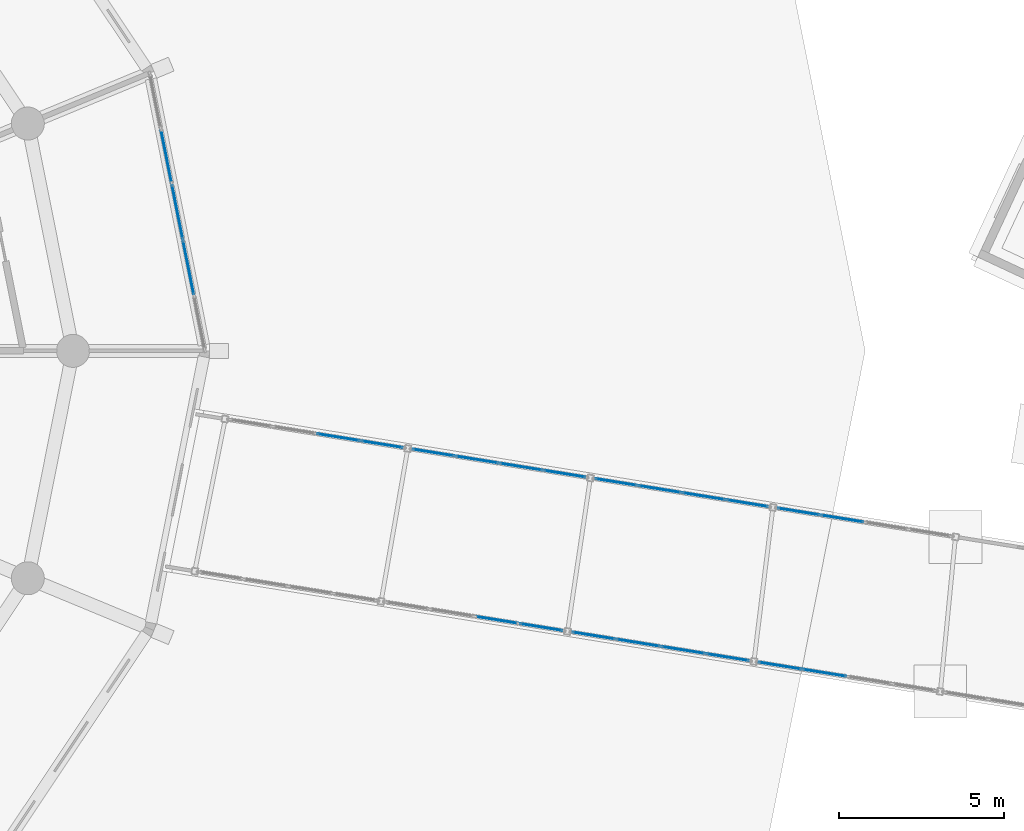
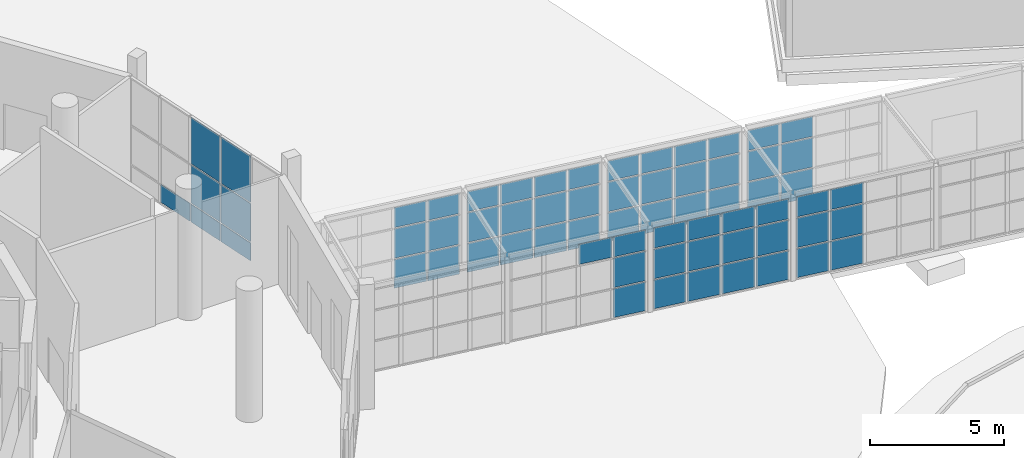
# One storey, part 132 of 226: 65 plates, 8 elements without a shape of their own.
"""IFC4 building model written with IfcOpenShell, lengths in metres."""

from ifc_helpers import new_model, si_unit, direction, frame, origin, origin_2d, place, context, subcontext, project, spatial, rectangle, extrude, material, layer, layer_set, type_object, element, aggregate, save


model = new_model("IFC4")

# Units and contexts
model_context = context("Model", 3, precision=1e-05, world=origin(), true_north=direction((0.0, 1.0)))
body_context = subcontext(model_context, "Body", "Model", "MODEL_VIEW")
ifc_project = project(units=[si_unit("LENGTHUNIT", "METRE"), si_unit("AREAUNIT", "SQUARE_METRE"), si_unit("VOLUMEUNIT", "CUBIC_METRE"), si_unit("PLANEANGLEUNIT", "RADIAN"), si_unit("MASSUNIT", "GRAM", prefix="KILO")], contexts=[model_context])

# Site, building, storey
site_placement = place(None, origin())
site = spatial("IfcSite", under=ifc_project, at=site_placement, CompositionType="ELEMENT")
building_placement = place(site_placement, origin())
building = spatial("IfcBuilding", under=site, at=building_placement, Name="Ceibo Conservatory and Research Tower", CompositionType="ELEMENT")
storey_placement = place(building_placement, origin())
storey = spatial("IfcBuildingStorey", under=building, at=storey_placement, Name="L00", CompositionType="ELEMENT", Elevation=0.0)

# Curtain wall, plates
ifc_material_1 = material(Name="Aluminium and glass", Category="aluminium")
curtain_wall_type_1 = type_object("IfcCurtainWallType", Name="Gallery curtain wall", PredefinedType="NOTDEFINED", material=ifc_material_1)
curtain_wall_1_placement = place(storey_placement, origin())
curtain_wall_1 = element("IfcCurtainWall", 1, at=curtain_wall_1_placement, inside=storey, type_object=curtain_wall_type_1, Name="Gallery curtain wall A-RT-CWN06", PredefinedType="NOTDEFINED")
ifc_material_2 = material(Name="Laminated glass", Category="glass")
ifc_layer_1 = layer(ifc_material_2, 0.028076171875)
ifc_layer_set_1 = layer_set([ifc_layer_1], Name="Laminated glass")
plate_type_1 = type_object("IfcPlateType", Name="Gallery glass 28", PredefinedType="CURTAIN_PANEL", material=ifc_layer_set_1)
plate_1_placement = place(storey_placement, frame((88.767822265625, 110.24462890625, 0.06005859375), z_axis=(0.0, 0.0, 1.0), x_axis=(-0.987215515464, 0.159391110254, 0.0)))
plate_1 = element("IfcPlate", 2, at=plate_1_placement, type_object=plate_type_1, Name="A-RT-CWN06 panel 3.1", PredefinedType="CURTAIN_PANEL", context=body_context, shape_type="SweptSolid", body=[
    extrude(rectangle(XDim=1.319580078125, YDim=0.028076171875, at=origin_2d()), origin(), (0.0, 0.0, 1.0), 1.31005859375),
])
plate_2_placement = place(storey_placement, frame((88.767822265625, 110.24462890625, 1.43017578125), z_axis=(0.0, 0.0, 1.0), x_axis=(-0.987215515464, 0.159391110254, 0.0)))
plate_2 = element("IfcPlate", 3, at=plate_2_placement, type_object=plate_type_1, Name="A-RT-CWN06 panel 3.2", PredefinedType="CURTAIN_PANEL", context=body_context, shape_type="SweptSolid", body=[
    extrude(rectangle(XDim=1.319580078125, YDim=0.028076171875, at=origin_2d()), origin(), (0.0, 0.0, 1.0), 1.340087890625),
])
plate_3_placement = place(storey_placement, frame((88.767822265625, 110.24462890625, 2.830078125), z_axis=(0.0, 0.0, 1.0), x_axis=(-0.987215515464, 0.159391110254, 0.0)))
plate_3 = element("IfcPlate", 4, at=plate_3_placement, type_object=plate_type_1, Name="A-RT-CWN06 panel 3.3", PredefinedType="CURTAIN_PANEL", context=body_context, shape_type="SweptSolid", body=[
    extrude(rectangle(XDim=1.319580078125, YDim=0.028076171875, at=origin_2d()), origin(), (0.0, 0.0, 1.0), 0.909912109375),
])
plate_4_placement = place(storey_placement, frame((87.420654296875, 110.462158203125, 0.06005859375), z_axis=(0.0, 0.0, 1.0), x_axis=(-0.987215515464, 0.159391110254, 0.0)))
plate_4 = element("IfcPlate", 5, at=plate_4_placement, type_object=plate_type_1, Name="A-RT-CWN06 panel 4.1", PredefinedType="CURTAIN_PANEL", context=body_context, shape_type="SweptSolid", body=[
    extrude(rectangle(XDim=1.28955078125, YDim=0.028076171875, at=origin_2d()), origin(), (0.0, 0.0, 1.0), 1.31005859375),
])
plate_5_placement = place(storey_placement, frame((87.420654296875, 110.462158203125, 1.43017578125), z_axis=(0.0, 0.0, 1.0), x_axis=(-0.987215515464, 0.159391110254, 0.0)))
plate_5 = element("IfcPlate", 6, at=plate_5_placement, type_object=plate_type_1, Name="A-RT-CWN06 panel 4.2", PredefinedType="CURTAIN_PANEL", context=body_context, shape_type="SweptSolid", body=[
    extrude(rectangle(XDim=1.28955078125, YDim=0.028076171875, at=origin_2d()), origin(), (0.0, 0.0, 1.0), 1.340087890625),
])
plate_6_placement = place(storey_placement, frame((87.420654296875, 110.462158203125, 2.830078125), z_axis=(0.0, 0.0, 1.0), x_axis=(-0.987215515464, 0.159391110254, 0.0)))
plate_6 = element("IfcPlate", 7, at=plate_6_placement, type_object=plate_type_1, Name="A-RT-CWN06 panel 4.3", PredefinedType="CURTAIN_PANEL", context=body_context, shape_type="SweptSolid", body=[
    extrude(rectangle(XDim=1.28955078125, YDim=0.028076171875, at=origin_2d()), origin(), (0.0, 0.0, 1.0), 0.909912109375),
])
aggregate(curtain_wall_1, [plate_1, plate_2, plate_3, plate_4, plate_5, plate_6])

curtain_wall_2_placement = place(storey_placement, origin())
curtain_wall_2 = element("IfcCurtainWall", 8, at=curtain_wall_2_placement, inside=storey, type_object=curtain_wall_type_1, Name="Gallery curtain wall A-RT-CWN07", PredefinedType="NOTDEFINED")
plate_7_placement = place(storey_placement, frame((85.831787109375, 110.71875, 0.06005859375), z_axis=(0.0, 0.0, 1.0), x_axis=(-0.987215515464, 0.159391110254, 0.0)))
plate_7 = element("IfcPlate", 9, at=plate_7_placement, type_object=plate_type_1, Name="A-RT-CWN07 panel 1.1", PredefinedType="CURTAIN_PANEL", context=body_context, shape_type="SweptSolid", body=[
    extrude(rectangle(XDim=1.28955078125, YDim=0.028076171875, at=origin_2d()), origin(), (0.0, 0.0, 1.0), 1.31005859375),
])
plate_8_placement = place(storey_placement, frame((85.831787109375, 110.71875, 1.43017578125), z_axis=(0.0, 0.0, 1.0), x_axis=(-0.987215515464, 0.159391110254, 0.0)))
plate_8 = element("IfcPlate", 10, at=plate_8_placement, type_object=plate_type_1, Name="A-RT-CWN07 panel 1.2", PredefinedType="CURTAIN_PANEL", context=body_context, shape_type="SweptSolid", body=[
    extrude(rectangle(XDim=1.28955078125, YDim=0.028076171875, at=origin_2d()), origin(), (0.0, 0.0, 1.0), 1.340087890625),
])
plate_9_placement = place(storey_placement, frame((85.831787109375, 110.71875, 2.830078125), z_axis=(0.0, 0.0, 1.0), x_axis=(-0.987215515464, 0.159391110254, 0.0)))
plate_9 = element("IfcPlate", 11, at=plate_9_placement, type_object=plate_type_1, Name="A-RT-CWN07 panel 1.3", PredefinedType="CURTAIN_PANEL", context=body_context, shape_type="SweptSolid", body=[
    extrude(rectangle(XDim=1.28955078125, YDim=0.028076171875, at=origin_2d()), origin(), (0.0, 0.0, 1.0), 0.909912109375),
])
plate_10_placement = place(storey_placement, frame((84.484619140625, 110.936279296875, 0.06005859375), z_axis=(0.0, 0.0, 1.0), x_axis=(-0.987215515464, 0.159391110254, 0.0)))
plate_10 = element("IfcPlate", 12, at=plate_10_placement, type_object=plate_type_1, Name="A-RT-CWN07 panel 2.1", PredefinedType="CURTAIN_PANEL", context=body_context, shape_type="SweptSolid", body=[
    extrude(rectangle(XDim=1.319580078125, YDim=0.028076171875, at=origin_2d()), origin(), (0.0, 0.0, 1.0), 1.31005859375),
])
plate_11_placement = place(storey_placement, frame((84.484619140625, 110.936279296875, 1.43017578125), z_axis=(0.0, 0.0, 1.0), x_axis=(-0.987215515464, 0.159391110254, 0.0)))
plate_11 = element("IfcPlate", 13, at=plate_11_placement, type_object=plate_type_1, Name="A-RT-CWN07 panel 2.2", PredefinedType="CURTAIN_PANEL", context=body_context, shape_type="SweptSolid", body=[
    extrude(rectangle(XDim=1.319580078125, YDim=0.028076171875, at=origin_2d()), origin(), (0.0, 0.0, 1.0), 1.340087890625),
])
plate_12_placement = place(storey_placement, frame((84.484619140625, 110.936279296875, 2.830078125), z_axis=(0.0, 0.0, 1.0), x_axis=(-0.987215515464, 0.159391110254, 0.0)))
plate_12 = element("IfcPlate", 14, at=plate_12_placement, type_object=plate_type_1, Name="A-RT-CWN07 panel 2.3", PredefinedType="CURTAIN_PANEL", context=body_context, shape_type="SweptSolid", body=[
    extrude(rectangle(XDim=1.319580078125, YDim=0.028076171875, at=origin_2d()), origin(), (0.0, 0.0, 1.0), 0.909912109375),
])
plate_13_placement = place(storey_placement, frame((83.122802734375, 111.156005859375, 0.06005859375), z_axis=(0.0, 0.0, 1.0), x_axis=(-0.987215515464, 0.159391110254, 0.0)))
plate_13 = element("IfcPlate", 15, at=plate_13_placement, type_object=plate_type_1, Name="A-RT-CWN07 panel 3.1", PredefinedType="CURTAIN_PANEL", context=body_context, shape_type="SweptSolid", body=[
    extrude(rectangle(XDim=1.319580078125, YDim=0.028076171875, at=origin_2d()), origin(), (0.0, 0.0, 1.0), 1.31005859375),
])
plate_14_placement = place(storey_placement, frame((83.122802734375, 111.156005859375, 1.43017578125), z_axis=(0.0, 0.0, 1.0), x_axis=(-0.987215515464, 0.159391110254, 0.0)))
plate_14 = element("IfcPlate", 16, at=plate_14_placement, type_object=plate_type_1, Name="A-RT-CWN07 panel 3.2", PredefinedType="CURTAIN_PANEL", context=body_context, shape_type="SweptSolid", body=[
    extrude(rectangle(XDim=1.319580078125, YDim=0.028076171875, at=origin_2d()), origin(), (0.0, 0.0, 1.0), 1.340087890625),
])
plate_15_placement = place(storey_placement, frame((83.122802734375, 111.156005859375, 2.830078125), z_axis=(0.0, 0.0, 1.0), x_axis=(-0.987215515464, 0.159391110254, 0.0)))
plate_15 = element("IfcPlate", 17, at=plate_15_placement, type_object=plate_type_1, Name="A-RT-CWN07 panel 3.3", PredefinedType="CURTAIN_PANEL", context=body_context, shape_type="SweptSolid", body=[
    extrude(rectangle(XDim=1.319580078125, YDim=0.028076171875, at=origin_2d()), origin(), (0.0, 0.0, 1.0), 0.909912109375),
])
plate_16_placement = place(storey_placement, frame((81.775634765625, 111.37353515625, 0.06005859375), z_axis=(0.0, 0.0, 1.0), x_axis=(-0.987215515464, 0.159391110254, 0.0)))
plate_16 = element("IfcPlate", 18, at=plate_16_placement, type_object=plate_type_1, Name="A-RT-CWN07 panel 4.1", PredefinedType="CURTAIN_PANEL", context=body_context, shape_type="SweptSolid", body=[
    extrude(rectangle(XDim=1.28955078125, YDim=0.028076171875, at=origin_2d()), origin(), (0.0, 0.0, 1.0), 1.31005859375),
])
plate_17_placement = place(storey_placement, frame((81.775634765625, 111.37353515625, 1.43017578125), z_axis=(0.0, 0.0, 1.0), x_axis=(-0.987215515464, 0.159391110254, 0.0)))
plate_17 = element("IfcPlate", 19, at=plate_17_placement, type_object=plate_type_1, Name="A-RT-CWN07 panel 4.2", PredefinedType="CURTAIN_PANEL", context=body_context, shape_type="SweptSolid", body=[
    extrude(rectangle(XDim=1.28955078125, YDim=0.028076171875, at=origin_2d()), origin(), (0.0, 0.0, 1.0), 1.340087890625),
])
plate_18_placement = place(storey_placement, frame((81.775634765625, 111.37353515625, 2.830078125), z_axis=(0.0, 0.0, 1.0), x_axis=(-0.987215515464, 0.159391110254, 0.0)))
plate_18 = element("IfcPlate", 20, at=plate_18_placement, type_object=plate_type_1, Name="A-RT-CWN07 panel 4.3", PredefinedType="CURTAIN_PANEL", context=body_context, shape_type="SweptSolid", body=[
    extrude(rectangle(XDim=1.28955078125, YDim=0.028076171875, at=origin_2d()), origin(), (0.0, 0.0, 1.0), 0.909912109375),
])
aggregate(curtain_wall_2, [plate_7, plate_8, plate_9, plate_10, plate_11, plate_12, plate_13, plate_14, plate_15, plate_16, plate_17, plate_18])

curtain_wall_3_placement = place(storey_placement, origin())
curtain_wall_3 = element("IfcCurtainWall", 21, at=curtain_wall_3_placement, inside=storey, type_object=curtain_wall_type_1, Name="Gallery curtain wall A-RT-CWN08", PredefinedType="NOTDEFINED")
plate_19_placement = place(storey_placement, frame((80.186767578125, 111.630126953125, 0.06005859375), z_axis=(0.0, 0.0, 1.0), x_axis=(-0.987215515464, 0.159391110254, 0.0)))
plate_19 = element("IfcPlate", 22, at=plate_19_placement, type_object=plate_type_1, Name="A-RT-CWN08 panel 1.1", PredefinedType="CURTAIN_PANEL", context=body_context, shape_type="SweptSolid", body=[
    extrude(rectangle(XDim=1.28955078125, YDim=0.028076171875, at=origin_2d()), origin(), (0.0, 0.0, 1.0), 1.31005859375),
])
plate_20_placement = place(storey_placement, frame((80.186767578125, 111.630126953125, 1.43017578125), z_axis=(0.0, 0.0, 1.0), x_axis=(-0.987215515464, 0.159391110254, 0.0)))
plate_20 = element("IfcPlate", 23, at=plate_20_placement, type_object=plate_type_1, Name="A-RT-CWN08 panel 1.2", PredefinedType="CURTAIN_PANEL", context=body_context, shape_type="SweptSolid", body=[
    extrude(rectangle(XDim=1.28955078125, YDim=0.028076171875, at=origin_2d()), origin(), (0.0, 0.0, 1.0), 1.340087890625),
])
plate_21_placement = place(storey_placement, frame((80.186767578125, 111.630126953125, 2.830078125), z_axis=(0.0, 0.0, 1.0), x_axis=(-0.987215515464, 0.159391110254, 0.0)))
plate_21 = element("IfcPlate", 24, at=plate_21_placement, type_object=plate_type_1, Name="A-RT-CWN08 panel 1.3", PredefinedType="CURTAIN_PANEL", context=body_context, shape_type="SweptSolid", body=[
    extrude(rectangle(XDim=1.28955078125, YDim=0.028076171875, at=origin_2d()), origin(), (0.0, 0.0, 1.0), 0.909912109375),
])
plate_22_placement = place(storey_placement, frame((78.839599609375, 111.84765625, 2.830078125), z_axis=(0.0, 0.0, 1.0), x_axis=(-0.987215515464, 0.159391110254, 0.0)))
plate_22 = element("IfcPlate", 25, at=plate_22_placement, type_object=plate_type_1, Name="A-RT-CWN08 panel 2.3", PredefinedType="CURTAIN_PANEL", context=body_context, shape_type="SweptSolid", body=[
    extrude(rectangle(XDim=1.319580078125, YDim=0.028076171875, at=origin_2d()), origin(), (0.0, 0.0, 1.0), 0.909912109375),
])
aggregate(curtain_wall_3, [plate_19, plate_20, plate_21, plate_22])

curtain_wall_4_placement = place(storey_placement, origin())
curtain_wall_4 = element("IfcCurtainWall", 26, at=curtain_wall_4_placement, inside=storey, type_object=curtain_wall_type_1, Name="Gallery curtain wall A-RT-CWS06", PredefinedType="NOTDEFINED")
plate_23_placement = place(storey_placement, frame((89.306884765625, 114.91845703125, 0.06005859375), z_axis=(0.0, 0.0, 1.0), x_axis=(-0.987215515464, 0.159391110254, 0.0)))
plate_23 = element("IfcPlate", 27, at=plate_23_placement, type_object=plate_type_1, Name="A-RT-CWS06 panel 3.1", PredefinedType="CURTAIN_PANEL", context=body_context, shape_type="SweptSolid", body=[
    extrude(rectangle(XDim=1.291259765625, YDim=0.028076171875, at=origin_2d()), origin(), (0.0, 0.0, 1.0), 1.31005859375),
])
plate_24_placement = place(storey_placement, frame((89.306884765625, 114.91845703125, 1.43017578125), z_axis=(0.0, 0.0, 1.0), x_axis=(-0.987215515464, 0.159391110254, 0.0)))
plate_24 = element("IfcPlate", 28, at=plate_24_placement, type_object=plate_type_1, Name="A-RT-CWS06 panel 3.2", PredefinedType="CURTAIN_PANEL", context=body_context, shape_type="SweptSolid", body=[
    extrude(rectangle(XDim=1.291259765625, YDim=0.028076171875, at=origin_2d()), origin(), (0.0, 0.0, 1.0), 1.340087890625),
])
plate_25_placement = place(storey_placement, frame((89.306884765625, 114.91845703125, 2.830078125), z_axis=(0.0, 0.0, 1.0), x_axis=(-0.987215515464, 0.159391110254, 0.0)))
plate_25 = element("IfcPlate", 29, at=plate_25_placement, type_object=plate_type_1, Name="A-RT-CWS06 panel 3.3", PredefinedType="CURTAIN_PANEL", context=body_context, shape_type="SweptSolid", body=[
    extrude(rectangle(XDim=1.291259765625, YDim=0.028076171875, at=origin_2d()), origin(), (0.0, 0.0, 1.0), 0.909912109375),
])
plate_26_placement = place(storey_placement, frame((87.988037109375, 115.131591796875, 0.06005859375), z_axis=(0.0, 0.0, 1.0), x_axis=(-0.987215515464, 0.159391110254, 0.0)))
plate_26 = element("IfcPlate", 30, at=plate_26_placement, type_object=plate_type_1, Name="A-RT-CWS06 panel 4.1", PredefinedType="CURTAIN_PANEL", context=body_context, shape_type="SweptSolid", body=[
    extrude(rectangle(XDim=1.26123046875, YDim=0.028076171875, at=origin_2d()), origin(), (0.0, 0.0, 1.0), 1.31005859375),
])
plate_27_placement = place(storey_placement, frame((87.988037109375, 115.131591796875, 1.43017578125), z_axis=(0.0, 0.0, 1.0), x_axis=(-0.987215515464, 0.159391110254, 0.0)))
plate_27 = element("IfcPlate", 31, at=plate_27_placement, type_object=plate_type_1, Name="A-RT-CWS06 panel 4.2", PredefinedType="CURTAIN_PANEL", context=body_context, shape_type="SweptSolid", body=[
    extrude(rectangle(XDim=1.26123046875, YDim=0.028076171875, at=origin_2d()), origin(), (0.0, 0.0, 1.0), 1.340087890625),
])
plate_28_placement = place(storey_placement, frame((87.988037109375, 115.131591796875, 2.830078125), z_axis=(0.0, 0.0, 1.0), x_axis=(-0.987215515464, 0.159391110254, 0.0)))
plate_28 = element("IfcPlate", 32, at=plate_28_placement, type_object=plate_type_1, Name="A-RT-CWS06 panel 4.3", PredefinedType="CURTAIN_PANEL", context=body_context, shape_type="SweptSolid", body=[
    extrude(rectangle(XDim=1.26123046875, YDim=0.028076171875, at=origin_2d()), origin(), (0.0, 0.0, 1.0), 0.909912109375),
])
aggregate(curtain_wall_4, [plate_23, plate_24, plate_25, plate_26, plate_27, plate_28])

curtain_wall_5_placement = place(storey_placement, origin())
curtain_wall_5 = element("IfcCurtainWall", 33, at=curtain_wall_5_placement, inside=storey, type_object=curtain_wall_type_1, Name="Gallery curtain wall A-RT-CWS07", PredefinedType="NOTDEFINED")
plate_29_placement = place(storey_placement, frame((86.427001953125, 115.383544921875, 0.06005859375), z_axis=(0.0, 0.0, 1.0), x_axis=(-0.987215515464, 0.159391110254, 0.0)))
plate_29 = element("IfcPlate", 34, at=plate_29_placement, type_object=plate_type_1, Name="A-RT-CWS07 panel 1.1", PredefinedType="CURTAIN_PANEL", context=body_context, shape_type="SweptSolid", body=[
    extrude(rectangle(XDim=1.26123046875, YDim=0.028076171875, at=origin_2d()), origin(), (0.0, 0.0, 1.0), 1.31005859375),
])
plate_30_placement = place(storey_placement, frame((86.427001953125, 115.383544921875, 1.43017578125), z_axis=(0.0, 0.0, 1.0), x_axis=(-0.987215515464, 0.159391110254, 0.0)))
plate_30 = element("IfcPlate", 35, at=plate_30_placement, type_object=plate_type_1, Name="A-RT-CWS07 panel 1.2", PredefinedType="CURTAIN_PANEL", context=body_context, shape_type="SweptSolid", body=[
    extrude(rectangle(XDim=1.26123046875, YDim=0.028076171875, at=origin_2d()), origin(), (0.0, 0.0, 1.0), 1.340087890625),
])
plate_31_placement = place(storey_placement, frame((86.427001953125, 115.383544921875, 2.830078125), z_axis=(0.0, 0.0, 1.0), x_axis=(-0.987215515464, 0.159391110254, 0.0)))
plate_31 = element("IfcPlate", 36, at=plate_31_placement, type_object=plate_type_1, Name="A-RT-CWS07 panel 1.3", PredefinedType="CURTAIN_PANEL", context=body_context, shape_type="SweptSolid", body=[
    extrude(rectangle(XDim=1.26123046875, YDim=0.028076171875, at=origin_2d()), origin(), (0.0, 0.0, 1.0), 0.909912109375),
])
plate_32_placement = place(storey_placement, frame((85.10791015625, 115.596435546875, 0.06005859375), z_axis=(0.0, 0.0, 1.0), x_axis=(-0.987215515464, 0.159391110254, 0.0)))
plate_32 = element("IfcPlate", 37, at=plate_32_placement, type_object=plate_type_1, Name="A-RT-CWS07 panel 2.1", PredefinedType="CURTAIN_PANEL", context=body_context, shape_type="SweptSolid", body=[
    extrude(rectangle(XDim=1.291259765625, YDim=0.028076171875, at=origin_2d()), origin(), (0.0, 0.0, 1.0), 1.31005859375),
])
plate_33_placement = place(storey_placement, frame((85.10791015625, 115.596435546875, 1.43017578125), z_axis=(0.0, 0.0, 1.0), x_axis=(-0.987215515464, 0.159391110254, 0.0)))
plate_33 = element("IfcPlate", 38, at=plate_33_placement, type_object=plate_type_1, Name="A-RT-CWS07 panel 2.2", PredefinedType="CURTAIN_PANEL", context=body_context, shape_type="SweptSolid", body=[
    extrude(rectangle(XDim=1.291259765625, YDim=0.028076171875, at=origin_2d()), origin(), (0.0, 0.0, 1.0), 1.340087890625),
])
plate_34_placement = place(storey_placement, frame((85.10791015625, 115.596435546875, 2.830078125), z_axis=(0.0, 0.0, 1.0), x_axis=(-0.987215515464, 0.159391110254, 0.0)))
plate_34 = element("IfcPlate", 39, at=plate_34_placement, type_object=plate_type_1, Name="A-RT-CWS07 panel 2.3", PredefinedType="CURTAIN_PANEL", context=body_context, shape_type="SweptSolid", body=[
    extrude(rectangle(XDim=1.291259765625, YDim=0.028076171875, at=origin_2d()), origin(), (0.0, 0.0, 1.0), 0.909912109375),
])
plate_35_placement = place(storey_placement, frame((83.774169921875, 115.811767578125, 0.06005859375), z_axis=(0.0, 0.0, 1.0), x_axis=(-0.987215515464, 0.159391110254, 0.0)))
plate_35 = element("IfcPlate", 40, at=plate_35_placement, type_object=plate_type_1, Name="A-RT-CWS07 panel 3.1", PredefinedType="CURTAIN_PANEL", context=body_context, shape_type="SweptSolid", body=[
    extrude(rectangle(XDim=1.291259765625, YDim=0.028076171875, at=origin_2d()), origin(), (0.0, 0.0, 1.0), 1.31005859375),
])
plate_36_placement = place(storey_placement, frame((83.774169921875, 115.811767578125, 1.43017578125), z_axis=(0.0, 0.0, 1.0), x_axis=(-0.987215515464, 0.159391110254, 0.0)))
plate_36 = element("IfcPlate", 41, at=plate_36_placement, type_object=plate_type_1, Name="A-RT-CWS07 panel 3.2", PredefinedType="CURTAIN_PANEL", context=body_context, shape_type="SweptSolid", body=[
    extrude(rectangle(XDim=1.291259765625, YDim=0.028076171875, at=origin_2d()), origin(), (0.0, 0.0, 1.0), 1.340087890625),
])
plate_37_placement = place(storey_placement, frame((83.774169921875, 115.811767578125, 2.830078125), z_axis=(0.0, 0.0, 1.0), x_axis=(-0.987215515464, 0.159391110254, 0.0)))
plate_37 = element("IfcPlate", 42, at=plate_37_placement, type_object=plate_type_1, Name="A-RT-CWS07 panel 3.3", PredefinedType="CURTAIN_PANEL", context=body_context, shape_type="SweptSolid", body=[
    extrude(rectangle(XDim=1.291259765625, YDim=0.028076171875, at=origin_2d()), origin(), (0.0, 0.0, 1.0), 0.909912109375),
])
plate_38_placement = place(storey_placement, frame((82.455078125, 116.02490234375, 0.06005859375), z_axis=(0.0, 0.0, 1.0), x_axis=(-0.987215515464, 0.159391110254, 0.0)))
plate_38 = element("IfcPlate", 43, at=plate_38_placement, type_object=plate_type_1, Name="A-RT-CWS07 panel 4.1", PredefinedType="CURTAIN_PANEL", context=body_context, shape_type="SweptSolid", body=[
    extrude(rectangle(XDim=1.26123046875, YDim=0.028076171875, at=origin_2d()), origin(), (0.0, 0.0, 1.0), 1.31005859375),
])
plate_39_placement = place(storey_placement, frame((82.455078125, 116.02490234375, 1.43017578125), z_axis=(0.0, 0.0, 1.0), x_axis=(-0.987215515464, 0.159391110254, 0.0)))
plate_39 = element("IfcPlate", 44, at=plate_39_placement, type_object=plate_type_1, Name="A-RT-CWS07 panel 4.2", PredefinedType="CURTAIN_PANEL", context=body_context, shape_type="SweptSolid", body=[
    extrude(rectangle(XDim=1.26123046875, YDim=0.028076171875, at=origin_2d()), origin(), (0.0, 0.0, 1.0), 1.340087890625),
])
plate_40_placement = place(storey_placement, frame((82.455078125, 116.02490234375, 2.830078125), z_axis=(0.0, 0.0, 1.0), x_axis=(-0.987215515464, 0.159391110254, 0.0)))
plate_40 = element("IfcPlate", 45, at=plate_40_placement, type_object=plate_type_1, Name="A-RT-CWS07 panel 4.3", PredefinedType="CURTAIN_PANEL", context=body_context, shape_type="SweptSolid", body=[
    extrude(rectangle(XDim=1.26123046875, YDim=0.028076171875, at=origin_2d()), origin(), (0.0, 0.0, 1.0), 0.909912109375),
])
aggregate(curtain_wall_5, [plate_29, plate_30, plate_31, plate_32, plate_33, plate_34, plate_35, plate_36, plate_37, plate_38, plate_39, plate_40])

curtain_wall_6_placement = place(storey_placement, origin())
curtain_wall_6 = element("IfcCurtainWall", 46, at=curtain_wall_6_placement, inside=storey, type_object=curtain_wall_type_1, Name="Gallery curtain wall A-RT-CWS08", PredefinedType="NOTDEFINED")
plate_41_placement = place(storey_placement, frame((80.89404296875, 116.27685546875, 0.06005859375), z_axis=(0.0, 0.0, 1.0), x_axis=(-0.987215515464, 0.159391110254, 0.0)))
plate_41 = element("IfcPlate", 47, at=plate_41_placement, type_object=plate_type_1, Name="A-RT-CWS08 panel 1.1", PredefinedType="CURTAIN_PANEL", context=body_context, shape_type="SweptSolid", body=[
    extrude(rectangle(XDim=1.26123046875, YDim=0.028076171875, at=origin_2d()), origin(), (0.0, 0.0, 1.0), 1.31005859375),
])
plate_42_placement = place(storey_placement, frame((80.89404296875, 116.27685546875, 1.43017578125), z_axis=(0.0, 0.0, 1.0), x_axis=(-0.987215515464, 0.159391110254, 0.0)))
plate_42 = element("IfcPlate", 48, at=plate_42_placement, type_object=plate_type_1, Name="A-RT-CWS08 panel 1.2", PredefinedType="CURTAIN_PANEL", context=body_context, shape_type="SweptSolid", body=[
    extrude(rectangle(XDim=1.26123046875, YDim=0.028076171875, at=origin_2d()), origin(), (0.0, 0.0, 1.0), 1.340087890625),
])
plate_43_placement = place(storey_placement, frame((80.89404296875, 116.27685546875, 2.830078125), z_axis=(0.0, 0.0, 1.0), x_axis=(-0.987215515464, 0.159391110254, 0.0)))
plate_43 = element("IfcPlate", 49, at=plate_43_placement, type_object=plate_type_1, Name="A-RT-CWS08 panel 1.3", PredefinedType="CURTAIN_PANEL", context=body_context, shape_type="SweptSolid", body=[
    extrude(rectangle(XDim=1.26123046875, YDim=0.028076171875, at=origin_2d()), origin(), (0.0, 0.0, 1.0), 0.909912109375),
])
plate_44_placement = place(storey_placement, frame((79.574951171875, 116.48974609375, 0.06005859375), z_axis=(0.0, 0.0, 1.0), x_axis=(-0.987215515464, 0.159391110254, 0.0)))
plate_44 = element("IfcPlate", 50, at=plate_44_placement, type_object=plate_type_1, Name="A-RT-CWS08 panel 2.1", PredefinedType="CURTAIN_PANEL", context=body_context, shape_type="SweptSolid", body=[
    extrude(rectangle(XDim=1.291259765625, YDim=0.028076171875, at=origin_2d()), origin(), (0.0, 0.0, 1.0), 1.31005859375),
])
plate_45_placement = place(storey_placement, frame((79.574951171875, 116.48974609375, 1.43017578125), z_axis=(0.0, 0.0, 1.0), x_axis=(-0.987215515464, 0.159391110254, 0.0)))
plate_45 = element("IfcPlate", 51, at=plate_45_placement, type_object=plate_type_1, Name="A-RT-CWS08 panel 2.2", PredefinedType="CURTAIN_PANEL", context=body_context, shape_type="SweptSolid", body=[
    extrude(rectangle(XDim=1.291259765625, YDim=0.028076171875, at=origin_2d()), origin(), (0.0, 0.0, 1.0), 1.340087890625),
])
plate_46_placement = place(storey_placement, frame((79.574951171875, 116.48974609375, 2.830078125), z_axis=(0.0, 0.0, 1.0), x_axis=(-0.987215515464, 0.159391110254, 0.0)))
plate_46 = element("IfcPlate", 52, at=plate_46_placement, type_object=plate_type_1, Name="A-RT-CWS08 panel 2.3", PredefinedType="CURTAIN_PANEL", context=body_context, shape_type="SweptSolid", body=[
    extrude(rectangle(XDim=1.291259765625, YDim=0.028076171875, at=origin_2d()), origin(), (0.0, 0.0, 1.0), 0.909912109375),
])
plate_47_placement = place(storey_placement, frame((78.2412109375, 116.705078125, 0.06005859375), z_axis=(0.0, 0.0, 1.0), x_axis=(-0.987215515464, 0.159391110254, 0.0)))
plate_47 = element("IfcPlate", 53, at=plate_47_placement, type_object=plate_type_1, Name="A-RT-CWS08 panel 3.1", PredefinedType="CURTAIN_PANEL", context=body_context, shape_type="SweptSolid", body=[
    extrude(rectangle(XDim=1.291259765625, YDim=0.028076171875, at=origin_2d()), origin(), (0.0, 0.0, 1.0), 1.31005859375),
])
plate_48_placement = place(storey_placement, frame((78.2412109375, 116.705078125, 1.43017578125), z_axis=(0.0, 0.0, 1.0), x_axis=(-0.987215515464, 0.159391110254, 0.0)))
plate_48 = element("IfcPlate", 54, at=plate_48_placement, type_object=plate_type_1, Name="A-RT-CWS08 panel 3.2", PredefinedType="CURTAIN_PANEL", context=body_context, shape_type="SweptSolid", body=[
    extrude(rectangle(XDim=1.291259765625, YDim=0.028076171875, at=origin_2d()), origin(), (0.0, 0.0, 1.0), 1.340087890625),
])
plate_49_placement = place(storey_placement, frame((78.2412109375, 116.705078125, 2.830078125), z_axis=(0.0, 0.0, 1.0), x_axis=(-0.987215515464, 0.159391110254, 0.0)))
plate_49 = element("IfcPlate", 55, at=plate_49_placement, type_object=plate_type_1, Name="A-RT-CWS08 panel 3.3", PredefinedType="CURTAIN_PANEL", context=body_context, shape_type="SweptSolid", body=[
    extrude(rectangle(XDim=1.291259765625, YDim=0.028076171875, at=origin_2d()), origin(), (0.0, 0.0, 1.0), 0.909912109375),
])
plate_50_placement = place(storey_placement, frame((76.922119140625, 116.918212890625, 0.06005859375), z_axis=(0.0, 0.0, 1.0), x_axis=(-0.987215515464, 0.159391110254, 0.0)))
plate_50 = element("IfcPlate", 56, at=plate_50_placement, type_object=plate_type_1, Name="A-RT-CWS08 panel 4.1", PredefinedType="CURTAIN_PANEL", context=body_context, shape_type="SweptSolid", body=[
    extrude(rectangle(XDim=1.26123046875, YDim=0.028076171875, at=origin_2d()), origin(), (0.0, 0.0, 1.0), 1.31005859375),
])
plate_51_placement = place(storey_placement, frame((76.922119140625, 116.918212890625, 1.43017578125), z_axis=(0.0, 0.0, 1.0), x_axis=(-0.987215515464, 0.159391110254, 0.0)))
plate_51 = element("IfcPlate", 57, at=plate_51_placement, type_object=plate_type_1, Name="A-RT-CWS08 panel 4.2", PredefinedType="CURTAIN_PANEL", context=body_context, shape_type="SweptSolid", body=[
    extrude(rectangle(XDim=1.26123046875, YDim=0.028076171875, at=origin_2d()), origin(), (0.0, 0.0, 1.0), 1.340087890625),
])
plate_52_placement = place(storey_placement, frame((76.922119140625, 116.918212890625, 2.830078125), z_axis=(0.0, 0.0, 1.0), x_axis=(-0.987215515464, 0.159391110254, 0.0)))
plate_52 = element("IfcPlate", 58, at=plate_52_placement, type_object=plate_type_1, Name="A-RT-CWS08 panel 4.3", PredefinedType="CURTAIN_PANEL", context=body_context, shape_type="SweptSolid", body=[
    extrude(rectangle(XDim=1.26123046875, YDim=0.028076171875, at=origin_2d()), origin(), (0.0, 0.0, 1.0), 0.909912109375),
])
aggregate(curtain_wall_6, [plate_41, plate_42, plate_43, plate_44, plate_45, plate_46, plate_47, plate_48, plate_49, plate_50, plate_51, plate_52])

curtain_wall_7_placement = place(storey_placement, origin())
curtain_wall_7 = element("IfcCurtainWall", 59, at=curtain_wall_7_placement, inside=storey, type_object=curtain_wall_type_1, Name="Gallery curtain wall A-RT-CWS09", PredefinedType="NOTDEFINED")
plate_53_placement = place(storey_placement, frame((75.361083984375, 117.170166015625, 0.06005859375), z_axis=(0.0, 0.0, 1.0), x_axis=(-0.987215515464, 0.159391110254, 0.0)))
plate_53 = element("IfcPlate", 60, at=plate_53_placement, type_object=plate_type_1, Name="A-RT-CWS09 panel 1.1", PredefinedType="CURTAIN_PANEL", context=body_context, shape_type="SweptSolid", body=[
    extrude(rectangle(XDim=1.26123046875, YDim=0.028076171875, at=origin_2d()), origin(), (0.0, 0.0, 1.0), 1.31005859375),
])
plate_54_placement = place(storey_placement, frame((75.361083984375, 117.170166015625, 1.43017578125), z_axis=(0.0, 0.0, 1.0), x_axis=(-0.987215515464, 0.159391110254, 0.0)))
plate_54 = element("IfcPlate", 61, at=plate_54_placement, type_object=plate_type_1, Name="A-RT-CWS09 panel 1.2", PredefinedType="CURTAIN_PANEL", context=body_context, shape_type="SweptSolid", body=[
    extrude(rectangle(XDim=1.26123046875, YDim=0.028076171875, at=origin_2d()), origin(), (0.0, 0.0, 1.0), 1.340087890625),
])
plate_55_placement = place(storey_placement, frame((75.361083984375, 117.170166015625, 2.830078125), z_axis=(0.0, 0.0, 1.0), x_axis=(-0.987215515464, 0.159391110254, 0.0)))
plate_55 = element("IfcPlate", 62, at=plate_55_placement, type_object=plate_type_1, Name="A-RT-CWS09 panel 1.3", PredefinedType="CURTAIN_PANEL", context=body_context, shape_type="SweptSolid", body=[
    extrude(rectangle(XDim=1.26123046875, YDim=0.028076171875, at=origin_2d()), origin(), (0.0, 0.0, 1.0), 0.909912109375),
])
plate_56_placement = place(storey_placement, frame((74.0419921875, 117.383056640625, 0.06005859375), z_axis=(0.0, 0.0, 1.0), x_axis=(-0.987215515464, 0.159391110254, 0.0)))
plate_56 = element("IfcPlate", 63, at=plate_56_placement, type_object=plate_type_1, Name="A-RT-CWS09 panel 2.1", PredefinedType="CURTAIN_PANEL", context=body_context, shape_type="SweptSolid", body=[
    extrude(rectangle(XDim=1.291259765625, YDim=0.028076171875, at=origin_2d()), origin(), (0.0, 0.0, 1.0), 1.31005859375),
])
plate_57_placement = place(storey_placement, frame((74.0419921875, 117.383056640625, 1.43017578125), z_axis=(0.0, 0.0, 1.0), x_axis=(-0.987215515464, 0.159391110254, 0.0)))
plate_57 = element("IfcPlate", 64, at=plate_57_placement, type_object=plate_type_1, Name="A-RT-CWS09 panel 2.2", PredefinedType="CURTAIN_PANEL", context=body_context, shape_type="SweptSolid", body=[
    extrude(rectangle(XDim=1.291259765625, YDim=0.028076171875, at=origin_2d()), origin(), (0.0, 0.0, 1.0), 1.340087890625),
])
plate_58_placement = place(storey_placement, frame((74.0419921875, 117.383056640625, 2.830078125), z_axis=(0.0, 0.0, 1.0), x_axis=(-0.987215515464, 0.159391110254, 0.0)))
plate_58 = element("IfcPlate", 65, at=plate_58_placement, type_object=plate_type_1, Name="A-RT-CWS09 panel 2.3", PredefinedType="CURTAIN_PANEL", context=body_context, shape_type="SweptSolid", body=[
    extrude(rectangle(XDim=1.291259765625, YDim=0.028076171875, at=origin_2d()), origin(), (0.0, 0.0, 1.0), 0.909912109375),
])
aggregate(curtain_wall_7, [plate_53, plate_54, plate_55, plate_56, plate_57, plate_58])

curtain_wall_type_2 = type_object("IfcCurtainWallType", Name="Curtain wall CW1", PredefinedType="NOTDEFINED", material=ifc_material_1)
curtain_wall_8_placement = place(storey_placement, origin())
curtain_wall_8 = element("IfcCurtainWall", 66, at=curtain_wall_8_placement, inside=storey, type_object=curtain_wall_type_2, Name="CW-00.01", PredefinedType="NOTDEFINED")
ifc_material_3 = material(Name="Glass", Category="glass")
ifc_layer_2 = layer(ifc_material_3, 0.028076171875)
ifc_layer_set_2 = layer_set([ifc_layer_2], Name="Glass")
plate_type_2 = type_object("IfcPlateType", Name="Insulated glass panel 28", PredefinedType="CURTAIN_PANEL", material=ifc_layer_set_2)
plate_59_placement = place(storey_placement, frame((69.49755859375, 122.525634765625, 0.06005859375), z_axis=(0.0, 0.0, 1.0), x_axis=(-0.195090279221, 0.980785288916, 0.0)))
plate_59 = element("IfcPlate", 67, at=plate_59_placement, type_object=plate_type_2, Name="CW-00.01 panel 2.1", PredefinedType="CURTAIN_PANEL", context=body_context, shape_type="SweptSolid", body=[
    extrude(rectangle(XDim=1.65673828125, YDim=0.028076171875, at=origin_2d()), origin(), (0.0, 0.0, 1.0), 0.81005859375),
])
plate_60_placement = place(storey_placement, frame((69.49755859375, 122.525634765625, 0.93017578125), z_axis=(0.0, 0.0, 1.0), x_axis=(-0.195090279221, 0.980785288916, 0.0)))
plate_60 = element("IfcPlate", 68, at=plate_60_placement, type_object=plate_type_2, Name="CW-00.01 panel 2.2", PredefinedType="CURTAIN_PANEL", context=body_context, shape_type="SweptSolid", body=[
    extrude(rectangle(XDim=1.65673828125, YDim=0.028076171875, at=origin_2d()), origin(), (0.0, 0.0, 1.0), 1.739990234375),
])
plate_61_placement = place(storey_placement, frame((69.49755859375, 122.525634765625, 2.72998046875), z_axis=(0.0, 0.0, 1.0), x_axis=(-0.195090279221, 0.980785288916, 0.0)))
plate_61 = element("IfcPlate", 69, at=plate_61_placement, type_object=plate_type_2, Name="CW-00.01 panel 2.3", PredefinedType="CURTAIN_PANEL", context=body_context, shape_type="SweptSolid", body=[
    extrude(rectangle(XDim=1.65673828125, YDim=0.028076171875, at=origin_2d()), origin(), (0.0, 0.0, 1.0), 2.110107421875),
])
plate_62_placement = place(storey_placement, frame((69.16259765625, 124.20947265625, 0.06005859375), z_axis=(0.0, 0.0, 1.0), x_axis=(-0.195090279221, 0.980785288916, 0.0)))
plate_62 = element("IfcPlate", 70, at=plate_62_placement, type_object=plate_type_2, Name="CW-00.01 panel 3.1", PredefinedType="CURTAIN_PANEL", context=body_context, shape_type="SweptSolid", body=[
    extrude(rectangle(XDim=1.65673828125, YDim=0.028076171875, at=origin_2d()), origin(), (0.0, 0.0, 1.0), 0.81005859375),
])
plate_63_placement = place(storey_placement, frame((69.16259765625, 124.20947265625, 0.93017578125), z_axis=(0.0, 0.0, 1.0), x_axis=(-0.195090279221, 0.980785288916, 0.0)))
plate_63 = element("IfcPlate", 71, at=plate_63_placement, type_object=plate_type_2, Name="CW-00.01 panel 3.2", PredefinedType="CURTAIN_PANEL", context=body_context, shape_type="SweptSolid", body=[
    extrude(rectangle(XDim=1.65673828125, YDim=0.028076171875, at=origin_2d()), origin(), (0.0, 0.0, 1.0), 1.739990234375),
])
plate_64_placement = place(storey_placement, frame((69.16259765625, 124.20947265625, 2.72998046875), z_axis=(0.0, 0.0, 1.0), x_axis=(-0.195090279221, 0.980785288916, 0.0)))
plate_64 = element("IfcPlate", 72, at=plate_64_placement, type_object=plate_type_2, Name="CW-00.01 panel 3.3", PredefinedType="CURTAIN_PANEL", context=body_context, shape_type="SweptSolid", body=[
    extrude(rectangle(XDim=1.65673828125, YDim=0.028076171875, at=origin_2d()), origin(), (0.0, 0.0, 1.0), 2.110107421875),
])
plate_65_placement = place(storey_placement, frame((68.82763671875, 125.893310546875, 0.06005859375), z_axis=(0.0, 0.0, 1.0), x_axis=(-0.195090279221, 0.980785288916, 0.0)))
plate_65 = element("IfcPlate", 73, at=plate_65_placement, type_object=plate_type_2, Name="CW-00.01 panel 4.1", PredefinedType="CURTAIN_PANEL", context=body_context, shape_type="SweptSolid", body=[
    extrude(rectangle(XDim=1.65673828125, YDim=0.028076171875, at=origin_2d()), origin(), (0.0, 0.0, 1.0), 0.81005859375),
])
aggregate(curtain_wall_8, [plate_59, plate_60, plate_61, plate_62, plate_63, plate_64, plate_65])

save(model, "model.ifc")
